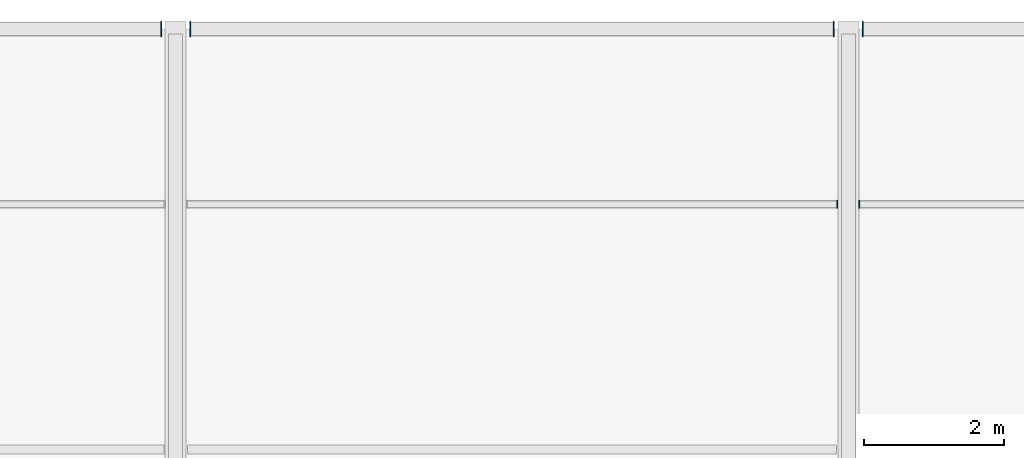
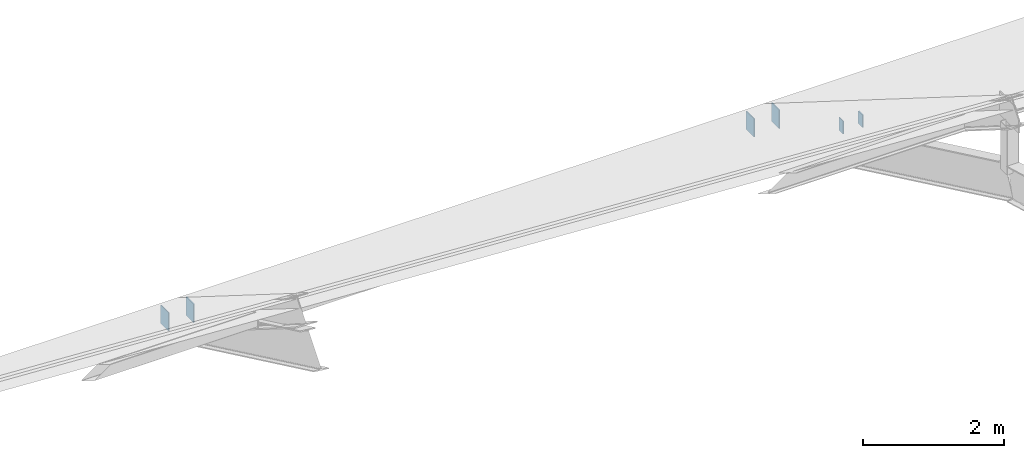
# One storey, part 53 of 66: 6 plates.
"""IFC4 building model written with IfcOpenShell, lengths in metres."""

import ifcopenshell
import ifcopenshell.guid

model = None  # the IFC model being written
_history = None  # IfcOwnerHistory: only IFC2X3 demands one
_inside = {}  # id of a spatial element -> (the spatial element, [elements in it])
_under = {}  # id of a project, library or spatial element -> (it, [spatial elements below it])
_declared = {}  # id of a project -> (the project, [libraries it declares])
_typed = {}  # id of a type object -> (the type object, [elements of that type])
_made_of = {}  # id of a material, layer set ... -> (it, [elements and type objects made of it])


def new_model(schema):
    """Start an empty IFC model of exactly this schema.

    Asked for "IFC4X3", IfcOpenShell would pick the latest addendum, in which some entities
    have other attributes; the version numbers below select the first issue.
    IFC2X3 requires an IfcOwnerHistory on every rooted entity: one is made here for all.
    """
    global model, _history
    if schema == "IFC4X3":
        model = ifcopenshell.file(schema_version=(4, 3, 0, 0))
    else:
        model = ifcopenshell.file(schema=schema)
    _inside.clear()
    _under.clear()
    _declared.clear()
    _typed.clear()
    _made_of.clear()
    _history = None
    if model.schema == "IFC2X3":
        org = make("IfcOrganization", Name="unknown")
        user = make(
            "IfcPersonAndOrganization",
            ThePerson=make("IfcPerson", FamilyName="unknown"),
            TheOrganization=org,
        )
        app = make(
            "IfcApplication",
            ApplicationDeveloper=org,
            Version="unknown",
            ApplicationFullName="unknown",
            ApplicationIdentifier="unknown",
        )
        _history = make(
            "IfcOwnerHistory",
            OwningUser=user,
            OwningApplication=app,
            ChangeAction="ADDED",
            CreationDate=0,
        )
    return model


def make(cls, **values):
    """One entity of the class cls with the attributes given. An attribute that is None is left unset."""
    return model.create_entity(
        cls, **{name: value for name, value in values.items() if value is not None}
    )


def rooted(cls, **values):
    """An entity with a GlobalId (a new one), such as an element, a storey or a relation."""
    return make(cls, GlobalId=ifcopenshell.guid.new(), OwnerHistory=_history, **values)


def si_unit(unit_type, name, prefix=None):
    """IfcSIUnit, for example si_unit("LENGTHUNIT", "METRE", prefix="MILLI")."""
    return make("IfcSIUnit", UnitType=unit_type, Prefix=prefix, Name=name)


def assignment(units):
    """IfcUnitAssignment: the units of a project."""
    return None if units is None else make("IfcUnitAssignment", Units=units)


def point(xyz):
    """IfcCartesianPoint."""
    return None if xyz is None else make("IfcCartesianPoint", Coordinates=xyz)


def direction(xyz):
    """IfcDirection."""
    return None if xyz is None else make("IfcDirection", DirectionRatios=xyz)


def frame(location, z_axis=None, x_axis=None):
    """IfcAxis2Placement3D, a coordinate frame: its origin and axes. An axis left out is left unset."""
    return make(
        "IfcAxis2Placement3D",
        Location=point(location),
        Axis=direction(z_axis),
        RefDirection=direction(x_axis),
    )


def frame_2d(location, x_axis=None):
    """IfcAxis2Placement2D, a coordinate frame in the plane: its origin and x axis."""
    return make(
        "IfcAxis2Placement2D", Location=point(location), RefDirection=direction(x_axis)
    )


def origin():
    """The frame at (0, 0, 0) with its axes left unset."""
    return frame((0.0, 0.0, 0.0))


def origin_2d():
    """The frame at (0, 0) in the plane with its x axis left unset."""
    return frame_2d((0.0, 0.0))


def place(relative_to, where):
    """IfcLocalPlacement: puts the frame where relative to a parent placement (None: the world)."""
    return make(
        "IfcLocalPlacement", PlacementRelTo=relative_to, RelativePlacement=where
    )


def context(
    kind, dimensions, precision=None, world=None, true_north=None, identifier=None
):
    """IfcGeometricRepresentationContext, for example the 3D "Model" context."""
    return make(
        "IfcGeometricRepresentationContext",
        ContextIdentifier=identifier,
        ContextType=kind,
        CoordinateSpaceDimension=dimensions,
        Precision=precision,
        WorldCoordinateSystem=world,
        TrueNorth=true_north,
    )


def subcontext(parent, identifier, kind, view, scale=None):
    """IfcGeometricRepresentationSubContext, for example "Body" below "Model"."""
    return make(
        "IfcGeometricRepresentationSubContext",
        ContextIdentifier=identifier,
        ContextType=kind,
        ParentContext=parent,
        TargetScale=scale,
        TargetView=view,
    )


def project(units=None, contexts=None):
    """IfcProject with its units and contexts."""
    return rooted(
        "IfcProject",
        Name="project",
        RepresentationContexts=contexts,
        UnitsInContext=assignment(units),
    )


def spatial(cls, under=None, at=None, **own):
    """A site, building, storey or space (cls), placed at a placement, below another one or the project."""
    s = rooted(cls, ObjectPlacement=at, **own)
    if under is not None:
        _under.setdefault(under.id(), (under, []))[1].append(s)
    return s


def profile(cls, at=None, kind="AREA", **sizes):
    """A parametric profile (cls). Its sizes go by their IFC names, for example OverallWidth=200.0."""
    return make(cls, ProfileType=kind, Position=at, **sizes)


def rectangle(**sizes):
    """IfcRectangleProfileDef."""
    return profile("IfcRectangleProfileDef", **sizes)


def extrude(swept, where, along, depth):
    """IfcExtrudedAreaSolid: the profile swept, set in the frame where, extruded along a direction by depth."""
    return make(
        "IfcExtrudedAreaSolid",
        SweptArea=swept,
        Position=where,
        ExtrudedDirection=direction(along),
        Depth=depth,
    )


def shape(context_of_items, identifier, shape_type, items):
    """IfcShapeRepresentation: the items that make up one representation, for example the "Body"."""
    return make(
        "IfcShapeRepresentation",
        ContextOfItems=context_of_items,
        RepresentationIdentifier=identifier,
        RepresentationType=shape_type,
        Items=items,
    )


def material(Name=None, Category=None):
    """IfcMaterial."""
    return make("IfcMaterial", Name=Name, Category=Category)


def layer(
    of_material, thickness, ventilated=None, Name=None, Category=None, Priority=None
):
    """IfcMaterialLayer: one layer of a wall or slab, of a material (None: an air gap)."""
    return make(
        "IfcMaterialLayer",
        Material=of_material,
        LayerThickness=thickness,
        IsVentilated=ventilated,
        Name=Name,
        Category=Category,
        Priority=Priority,
    )


def layer_set(layers, Name=None):
    """IfcMaterialLayerSet."""
    return make("IfcMaterialLayerSet", MaterialLayers=layers, LayerSetName=Name)


def made_of(thing, what):
    """Note that an element or type object is made of a material, layer set ...; save() writes the relation."""
    if what is not None:
        _made_of.setdefault(what.id(), (what, []))[1].append(thing)
    return thing


def type_object(cls, material=None, **own):
    """A type object (cls), such as IfcWallType, which elements share."""
    return made_of(rooted(cls, **own), material)


def element(
    cls,
    number,
    at=None,
    inside=None,
    cuts=None,
    type_object=None,
    material=None,
    context=None,
    identifier="Body",
    shape_type=None,
    held_by="IfcProductDefinitionShape",
    body=None,
    shapes=None,
    **own,
):
    """One element of the class cls, such as IfcWall. Its Tag is "e" and its number.

    at: its placement. inside: the storey or other place that contains it. cuts: it is an
    opening in that element (IfcRelVoidsElement). A single representation is given by context,
    identifier, shape_type and body (its items); several are given by shapes. held_by: the class
    of the entity that holds the representations. save() writes the other relations.
    """
    e = rooted(cls, Tag="e%d" % number, ObjectPlacement=at, **own)
    if body is not None:
        shapes = [shape(context, identifier, shape_type, body)]
    if shapes is not None:
        e.Representation = make(held_by, Representations=shapes)
    if inside is not None:
        _inside.setdefault(inside.id(), (inside, []))[1].append(e)
    if cuts is not None:
        rooted(
            "IfcRelVoidsElement", RelatingBuildingElement=cuts, RelatedOpeningElement=e
        )
    if type_object is not None:
        _typed.setdefault(type_object.id(), (type_object, []))[1].append(e)
    return made_of(e, material)


def aggregate(whole, parts):
    """IfcRelAggregates: a whole, such as a stair, and the parts it consists of."""
    return rooted("IfcRelAggregates", RelatingObject=whole, RelatedObjects=parts)


def save(model, path):
    """Write the relations noted so far, then the file.

    IfcRelAggregates (storeys below a building ...), IfcRelContainedInSpatialStructure (elements
    in a storey), IfcRelDefinesByType, IfcRelAssociatesMaterial and IfcRelDeclares: one each for
    every whole, place, type object, material and project.
    """
    for whole, parts in _under.values():
        aggregate(whole, parts)
    for where, things in _inside.values():
        rooted(
            "IfcRelContainedInSpatialStructure",
            RelatedElements=things,
            RelatingStructure=where,
        )
    for kind, things in _typed.values():
        rooted("IfcRelDefinesByType", RelatedObjects=things, RelatingType=kind)
    for what, things in _made_of.values():
        rooted("IfcRelAssociatesMaterial", RelatedObjects=things, RelatingMaterial=what)
    for by, libraries in _declared.values():
        rooted("IfcRelDeclares", RelatingContext=by, RelatedDefinitions=libraries)
    model.write(path)


model = new_model("IFC4")

# Units and contexts
model_context = context("Model", 3, precision=1e-05, world=origin(), true_north=direction((0.0, 1.0)))
body_context = subcontext(model_context, "Body", "Model", "MODEL_VIEW")
ifc_project = project(units=[si_unit("LENGTHUNIT", "METRE"), si_unit("AREAUNIT", "SQUARE_METRE"), si_unit("VOLUMEUNIT", "CUBIC_METRE"), si_unit("PLANEANGLEUNIT", "RADIAN"), si_unit("MASSUNIT", "GRAM", prefix="KILO")], contexts=[model_context])

# Site, building, storey
site_placement = place(None, origin())
site = spatial("IfcSite", under=ifc_project, at=site_placement, CompositionType="ELEMENT")
building_placement = place(site_placement, origin())
building = spatial("IfcBuilding", under=site, at=building_placement, Name="Yeouljin Market Hall", CompositionType="ELEMENT")
storey_placement = place(building_placement, frame((0.0, 0.0, 23.39990234375)))
storey = spatial("IfcBuildingStorey", under=building, at=storey_placement, Name="RF", CompositionType="ELEMENT", Elevation=23.39990234375)

# Plates
ifc_material_1 = material(Name="Steel SM355", Category="steel")
ifc_layer_1 = layer(ifc_material_1, 0.01611328125)
ifc_layer_set_1 = layer_set([ifc_layer_1], Name="Steel SM355")
plate_type_1 = type_object("IfcPlateType", Name="CapPlate_220x120x16", PredefinedType="SHEET", material=ifc_layer_set_1)
for number, where, z_axis, x_axis, name in (
    (1, (73.64208984375, 75.5, -10.91845703125), (0.0, 0.0, 1.0), (0.0, 1.0, 0.0), "Purlin end-cap plate 0120"),
    (2, (73.9580078125, 75.5, -10.91845703125), (0.0, 0.0, 1.0), (0.0, 1.0, 0.0), "Purlin end-cap plate 0143"),
):
    element("IfcPlate", number, at=place(storey_placement, frame(where, z_axis=z_axis, x_axis=x_axis)), inside=storey, type_object=plate_type_1, Name=name, PredefinedType="SHEET", context=body_context, shape_type="SweptSolid", body=[
        extrude(rectangle(XDim=0.1201171875, YDim=0.01611328125, at=origin_2d()), origin(), (0.0, 0.0, 1.0), 0.219970703125),
    ])
ifc_material_2 = material(Name="Steel SM355", Category="steel")
ifc_layer_2 = layer(ifc_material_2, 0.01611328125)
ifc_layer_set_2 = layer_set([ifc_layer_2], Name="Steel SM355")
plate_type_2 = type_object("IfcPlateType", Name="CapPlate_320x220x16", PredefinedType="SHEET", material=ifc_layer_set_2)
for number, where, z_axis, x_axis, name in (
    (3, (63.991943359375, 78.0, -12.43994140625), (0.0, 0.0, 1.0), (0.0, 1.0, 0.0), "Eaves girder end-cap plate N03-E"),
    (4, (64.407958984375, 78.0, -12.43994140625), (0.0, 0.0, 1.0), (0.0, 1.0, 0.0), "Eaves girder end-cap plate N04-W"),
    (5, (73.592041015625, 78.0, -12.43994140625), (0.0, 0.0, 1.0), (0.0, 1.0, 0.0), "Eaves girder end-cap plate N04-E"),
    (6, (74.008056640625, 78.0, -12.43994140625), (0.0, 0.0, 1.0), (0.0, 1.0, 0.0), "Eaves girder end-cap plate N05-W"),
):
    element("IfcPlate", number, at=place(storey_placement, frame(where, z_axis=z_axis, x_axis=x_axis)), inside=storey, type_object=plate_type_2, Name=name, PredefinedType="SHEET", context=body_context, shape_type="SweptSolid", body=[
        extrude(rectangle(XDim=0.219970703125, YDim=0.01611328125, at=origin_2d()), origin(), (0.0, 0.0, 1.0), 0.320068359375),
    ])

save(model, "model.ifc")
